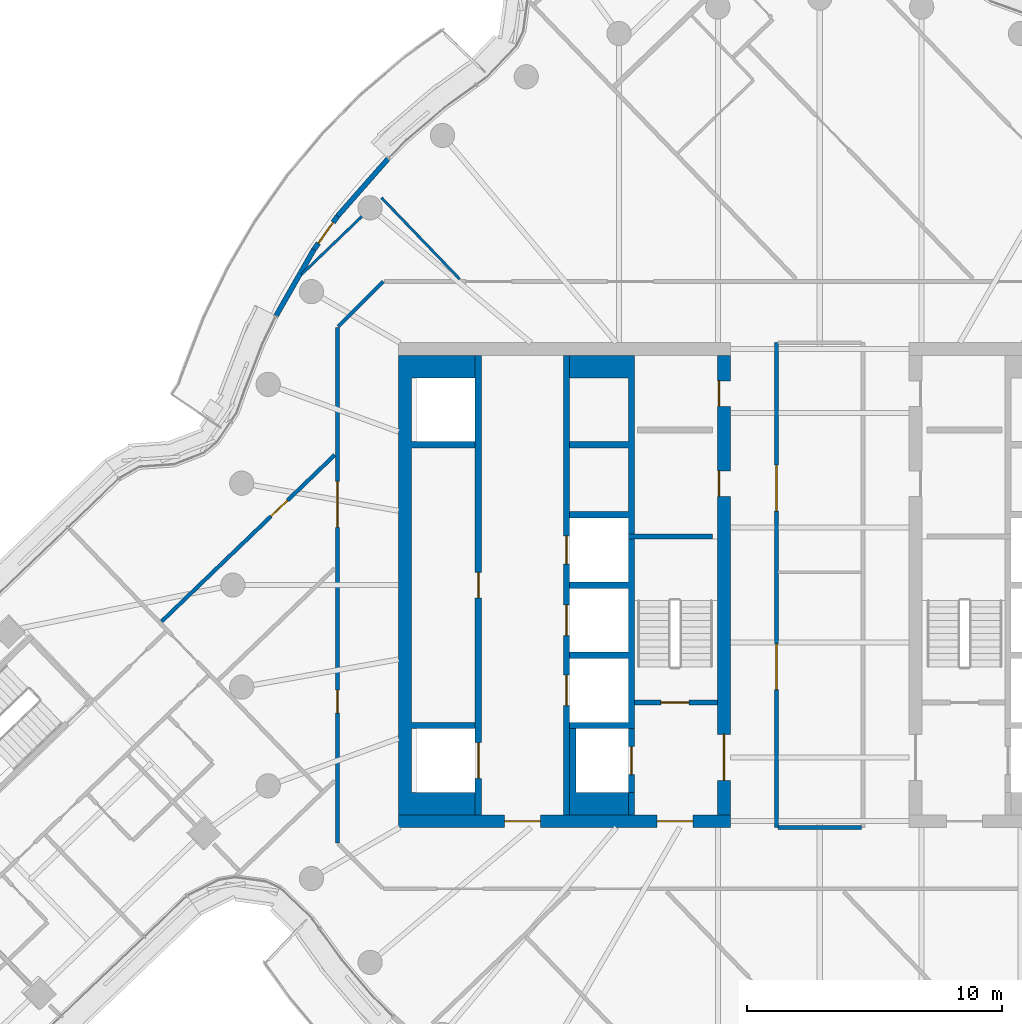
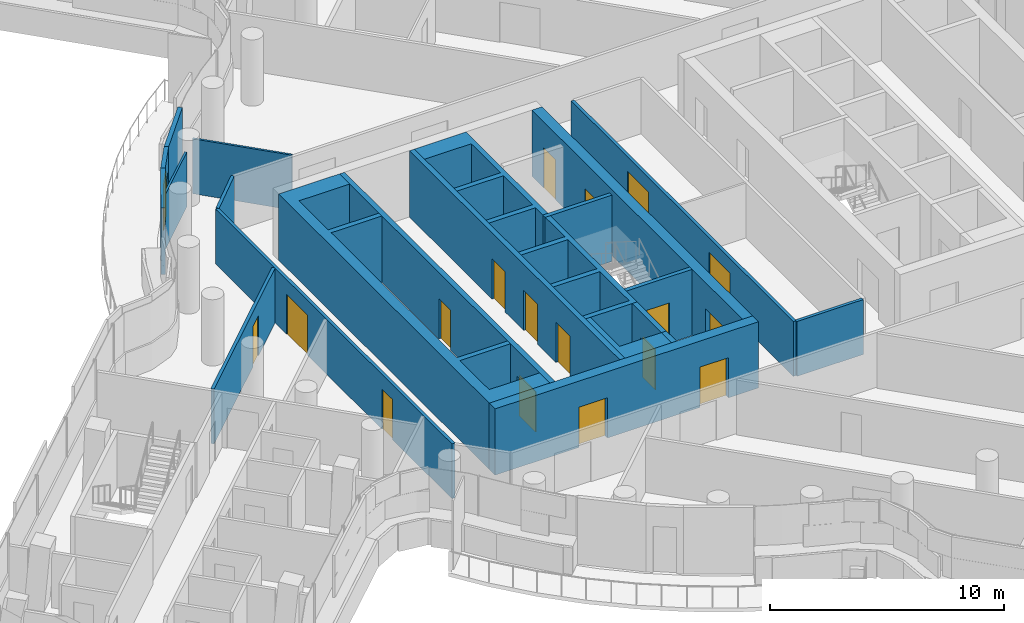
# One storey, part 22 of 34: 21 walls, 18 doors, 18 openings.
"""IFC4 building model written with IfcOpenShell, lengths in metres."""

from ifc_helpers import new_model, si_unit, direction, frame, frame_2d, origin, place, context, subcontext, project, spatial, polyline, rectangle, outline, extrude, material, layer, layer_set, type_object, element, fill, save


model = new_model("IFC4")

# Units and contexts
model_context = context("Model", 3, precision=1e-05, world=origin(), true_north=direction((0.0, 1.0)))
body_context = subcontext(model_context, "Body", "Model", "MODEL_VIEW")
ifc_project = project(units=[si_unit("LENGTHUNIT", "METRE"), si_unit("AREAUNIT", "SQUARE_METRE"), si_unit("VOLUMEUNIT", "CUBIC_METRE"), si_unit("PLANEANGLEUNIT", "RADIAN"), si_unit("MASSUNIT", "GRAM", prefix="KILO")], contexts=[model_context])

# Site, building, storey
site_placement = place(None, origin())
site = spatial("IfcSite", under=ifc_project, at=site_placement, CompositionType="ELEMENT")
building_placement = place(site_placement, origin())
building = spatial("IfcBuilding", under=site, at=building_placement, Name="Tamarind Cross Interchange Tower", CompositionType="ELEMENT")
storey_placement = place(building_placement, frame((0.0, 0.0, 193.300048828125)))
storey = spatial("IfcBuildingStorey", under=building, at=storey_placement, Name="L48", CompositionType="ELEMENT", Elevation=193.300048828125)

# Walls
ifc_material_1 = material(Name="Concrete C40", Category="concrete")
ifc_layer_1 = layer(ifc_material_1, 0.199951171875)
ifc_layer_set_1 = layer_set([ifc_layer_1], Name="Concrete C40")
wall_type_1 = type_object("IfcWallType", Name="Balcony and garden door wall", PredefinedType="SOLIDWALL", material=ifc_layer_set_1)
wall_1_placement = place(storey_placement, frame((-16.919189453125, 16.703857421875, 0.0), z_axis=(0.0, 0.0, 1.0), x_axis=(-0.660541435627, -0.750789592243, 0.0)))
element("IfcWall", 1, at=wall_1_placement, inside=storey, type_object=wall_type_1, Name="EXW-L48-10-D02L", PredefinedType="SOLIDWALL", context=body_context, shape_type="SweptSolid", body=[
    extrude(rectangle(XDim=2.991943359375, YDim=0.199951171875, at=frame_2d((1.49609375, 0.0))), origin(), (0.0, 0.0, 1.0), 3.4599609375),
])
wall_2_placement = place(storey_placement, frame((-19.819580078125, 13.1513671875, 0.0), z_axis=(0.0, 0.0, 1.0), x_axis=(-0.496622268508, -0.867966774953, 0.0)))
element("IfcWall", 2, at=wall_2_placement, inside=storey, type_object=wall_type_1, Name="EXW-L48-10-D02R", PredefinedType="SOLIDWALL", context=body_context, shape_type="SweptSolid", body=[
    extrude(rectangle(XDim=2.991455078125, YDim=0.199951171875, at=frame_2d((1.49560546875, 0.0))), origin(), (0.0, 0.0, 1.0), 3.4599609375),
])

# Wall, opening, door
wall_3_placement = place(storey_placement, frame((-18.8955078125, 14.45751953125, 0.0), z_axis=(0.0, 0.0, 1.0), x_axis=(-0.57755153974, -0.816354223939, 0.0)))
wall_3 = element("IfcWall", 3, at=wall_3_placement, inside=storey, type_object=wall_type_1, Name="EXW-L48-10-D02", PredefinedType="SOLIDWALL", context=body_context, shape_type="SweptSolid", body=[
    extrude(rectangle(XDim=1.60009765625, YDim=0.199951171875, at=frame_2d((0.800048828125, 0.0))), origin(), (0.0, 0.0, 1.0), 3.4599609375),
])
opening_1_placement = place(wall_3_placement, frame((0.300048828125, 0.0, 0.0)))
opening_1 = element("IfcOpeningElement", 4, at=opening_1_placement, cuts=wall_3, Name="Opening D2", PredefinedType="OPENING", context=body_context, shape_type="SweptSolid", body=[
    extrude(rectangle(XDim=1.0, YDim=2.39990234375, at=frame_2d((0.5, 1.199951171875))), frame((0.0, 0.10986328125, 0.0), z_axis=(0.0, -1.0, 0.0), x_axis=(1.0, 0.0, 0.0)), (0.0, 0.0, 1.0), 0.219970703125),
])
ifc_material_2 = material(Name="Aluminium and toughened glass", Category="aluminium")
door_type_1 = type_object("IfcDoorType", Name="Balcony and garden door", OperationType="SINGLE_SWING_LEFT", PredefinedType="DOOR", material=ifc_material_2)
door_1_placement = place(opening_1_placement, origin())
door_1 = element("IfcDoor", 5, at=door_1_placement, inside=storey, type_object=door_type_1, Name="DOR-L48-10-02", OperationType="SINGLE_SWING_LEFT", OverallHeight=2.39990234375, OverallWidth=1.0, PredefinedType="DOOR", context=body_context, shape_type="SweptSolid", body=[
    extrude(rectangle(XDim=1.0, YDim=2.39990234375, at=frame_2d((0.5, 1.199951171875))), frame((0.0, 0.02490234375, 0.0), z_axis=(0.0, -1.0, 0.0), x_axis=(1.0, 0.0, 0.0)), (0.0, 0.0, 1.0), 0.050048828125),
])
fill(opening_1, door_1)

# Wall, openings, doors
ifc_material_3 = material(Name="Concrete C55", Category="concrete")
ifc_layer_2 = layer(ifc_material_3, 0.5)
ifc_layer_set_2 = layer_set([ifc_layer_2], Name="Concrete C55")
wall_type_2 = type_object("IfcWallType", Name="Core wall 500 mm Concrete C55", PredefinedType="SHEAR", material=ifc_layer_set_2)
wall_4_placement = place(storey_placement, frame((-16.5, -9.25, 0.0), z_axis=(0.0, 0.0, 1.0), x_axis=(1.0, 0.0, 0.0)))
wall_4 = element("IfcWall", 6, at=wall_4_placement, inside=storey, type_object=wall_type_2, Name="Core wall CWL-L48-W-S", PredefinedType="SHEAR", context=body_context, shape_type="SweptSolid", body=[
    extrude(rectangle(XDim=13.0, YDim=0.5, at=frame_2d((6.5, 0.0))), origin(), (0.0, 0.0, 1.0), 3.4599609375),
])
opening_2_placement = place(wall_4_placement, frame((4.14990234375, 0.0, 0.0)))
opening_2 = element("IfcOpeningElement", 7, at=opening_2_placement, cuts=wall_4, Name="Opening DCW1", PredefinedType="OPENING", context=body_context, shape_type="SweptSolid", body=[
    extrude(rectangle(XDim=1.39990234375, YDim=2.10009765625, at=frame_2d((0.699951171875, 1.050048828125))), frame((0.0, 0.260009765625, 0.0), z_axis=(0.0, -1.0, 0.0), x_axis=(1.0, 0.0, 0.0)), (0.0, 0.0, 1.0), 0.52001953125),
])
opening_3_placement = place(wall_4_placement, frame((10.125, 0.0, 0.0)))
opening_3 = element("IfcOpeningElement", 8, at=opening_3_placement, cuts=wall_4, Name="Opening DCWF", PredefinedType="OPENING", context=body_context, shape_type="SweptSolid", body=[
    extrude(rectangle(XDim=1.39990234375, YDim=2.10009765625, at=frame_2d((0.699951171875, 1.050048828125))), frame((0.0, 0.260009765625, 0.0), z_axis=(0.0, -1.0, 0.0), x_axis=(1.0, 0.0, 0.0)), (0.0, 0.0, 1.0), 0.52001953125),
])
ifc_material_4 = material(Name="Steel, fire-resisting", Category="steel")
door_type_2 = type_object("IfcDoorType", Name="Core fire door 1400 x 2100 FD90", OperationType="SINGLE_SWING_LEFT", PredefinedType="DOOR", material=ifc_material_4)
door_2_placement = place(opening_2_placement, origin())
door_2 = element("IfcDoor", 9, at=door_2_placement, inside=storey, type_object=door_type_2, Name="L48 lift lobby door", OperationType="SINGLE_SWING_LEFT", OverallHeight=2.10009765625, OverallWidth=1.39990234375, PredefinedType="DOOR", context=body_context, shape_type="SweptSolid", body=[
    extrude(rectangle(XDim=1.39990234375, YDim=2.10009765625, at=frame_2d((0.699951171875, 1.050048828125))), frame((0.0, 0.02490234375, 0.0), z_axis=(0.0, -1.0, 0.0), x_axis=(1.0, 0.0, 0.0)), (0.0, 0.0, 1.0), 0.050048828125),
])
fill(opening_2, door_2)
door_3_placement = place(opening_3_placement, origin())
door_3 = element("IfcDoor", 10, at=door_3_placement, inside=storey, type_object=door_type_2, Name="L48 firefighting lobby end door", OperationType="SINGLE_SWING_LEFT", OverallHeight=2.10009765625, OverallWidth=1.39990234375, PredefinedType="DOOR", context=body_context, shape_type="SweptSolid", body=[
    extrude(rectangle(XDim=1.39990234375, YDim=2.10009765625, at=frame_2d((0.699951171875, 1.050048828125))), frame((0.0, 0.02490234375, 0.0), z_axis=(0.0, -1.0, 0.0), x_axis=(1.0, 0.0, 0.0)), (0.0, 0.0, 1.0), 0.050048828125),
])
fill(opening_3, door_3)

# Wall
wall_5_placement = place(storey_placement, origin())
element("IfcWall", 11, at=wall_5_placement, inside=storey, type_object=wall_type_2, Name="Core wall CWL-L48-W-A", PredefinedType="SHEAR", context=body_context, shape_type="SweptSolid", body=[
    extrude(outline(polyline([(-13.5, -8.125), (-16.0, -8.125), (-16.0, -5.625), (-13.5, -5.625), (-13.5, -5.375), (-16.0, -5.375), (-16.0, 5.375), (-13.5, 5.375), (-13.5, 5.625), (-16.0, 5.625), (-16.0, 8.125), (-13.5, 8.125), (-13.5, 9.0), (-16.0, 9.0), (-16.5, 9.0), (-16.5, -9.0), (-16.0, -9.0), (-13.5, -9.0), (-13.5, -8.125)])), origin(), (0.0, 0.0, 1.0), 3.4599609375),
])

# Wall, openings, doors
wall_6_placement = place(storey_placement, frame((-3.75, -9.0, 0.0), z_axis=(0.0, 0.0, 1.0), x_axis=(0.0, 1.0, 0.0)))
wall_6 = element("IfcWall", 12, at=wall_6_placement, inside=storey, type_object=wall_type_2, Name="Core wall CWL-L48-W-IN", PredefinedType="SHEAR", context=body_context, shape_type="SweptSolid", body=[
    extrude(rectangle(XDim=18.0, YDim=0.5, at=frame_2d((9.0, 0.0))), origin(), (0.0, 0.0, 1.0), 3.4599609375),
])
opening_4_placement = place(wall_6_placement, frame((1.35009765625, 0.0, 0.0)))
opening_4 = element("IfcOpeningElement", 13, at=opening_4_placement, cuts=wall_6, Name="Opening DCW4", PredefinedType="OPENING", context=body_context, shape_type="SweptSolid", body=[
    extrude(rectangle(XDim=1.800048828125, YDim=2.10009765625, at=frame_2d((0.89990234375, 1.050048828125))), frame((0.0, 0.260009765625, 0.0), z_axis=(0.0, -1.0, 0.0), x_axis=(1.0, 0.0, 0.0)), (0.0, 0.0, 1.0), 0.52001953125),
])
opening_5_placement = place(wall_6_placement, frame((12.4775390625, 0.0, 0.0)))
opening_5 = element("IfcOpeningElement", 14, at=opening_5_placement, cuts=wall_6, Name="Opening DCW5", PredefinedType="OPENING", context=body_context, shape_type="SweptSolid", body=[
    extrude(rectangle(XDim=1.0, YDim=2.10009765625, at=frame_2d((0.5, 1.050048828125))), frame((0.0, 0.260009765625, 0.0), z_axis=(0.0, -1.0, 0.0), x_axis=(1.0, 0.0, 0.0)), (0.0, 0.0, 1.0), 0.52001953125),
])
opening_6_placement = place(wall_6_placement, frame((16.00244140625, 0.0, 0.0)))
opening_6 = element("IfcOpeningElement", 15, at=opening_6_placement, cuts=wall_6, Name="Opening DCW5", PredefinedType="OPENING", context=body_context, shape_type="SweptSolid", body=[
    extrude(rectangle(XDim=1.0, YDim=2.10009765625, at=frame_2d((0.5, 1.050048828125))), frame((0.0, 0.260009765625, 0.0), z_axis=(0.0, -1.0, 0.0), x_axis=(1.0, 0.0, 0.0)), (0.0, 0.0, 1.0), 0.52001953125),
])
door_type_3 = type_object("IfcDoorType", Name="Core fire door 1000 x 2100 FD90", OperationType="SINGLE_SWING_LEFT", PredefinedType="DOOR", material=ifc_material_4)
door_4_placement = place(opening_5_placement, origin())
door_4 = element("IfcDoor", 16, at=door_4_placement, inside=storey, type_object=door_type_3, Name="L48 housekeeping pantry door", OperationType="SINGLE_SWING_LEFT", OverallHeight=2.10009765625, OverallWidth=1.0, PredefinedType="DOOR", context=body_context, shape_type="SweptSolid", body=[
    extrude(rectangle(XDim=1.0, YDim=2.10009765625, at=frame_2d((0.5, 1.050048828125))), frame((0.0, 0.22509765625, 0.0), z_axis=(0.0, -1.0, 0.0), x_axis=(1.0, 0.0, 0.0)), (0.0, 0.0, 1.0), 0.050048828125),
])
fill(opening_5, door_4)
door_5_placement = place(opening_6_placement, origin())
door_5 = element("IfcDoor", 17, at=door_5_placement, inside=storey, type_object=door_type_3, Name="L48 linen press door", OperationType="SINGLE_SWING_LEFT", OverallHeight=2.10009765625, OverallWidth=1.0, PredefinedType="DOOR", context=body_context, shape_type="SweptSolid", body=[
    extrude(rectangle(XDim=1.0, YDim=2.10009765625, at=frame_2d((0.5, 1.050048828125))), frame((0.0, 0.22509765625, 0.0), z_axis=(0.0, -1.0, 0.0), x_axis=(1.0, 0.0, 0.0)), (0.0, 0.0, 1.0), 0.050048828125),
])
fill(opening_6, door_5)
door_type_4 = type_object("IfcDoorType", Name="Core fire door 1800 x 2100 FD90", OperationType="SINGLE_SWING_LEFT", PredefinedType="DOOR", material=ifc_material_4)
door_6_placement = place(opening_4_placement, origin())
door_6 = element("IfcDoor", 18, at=door_6_placement, inside=storey, type_object=door_type_4, Name="L48 firefighting lobby door", OperationType="SINGLE_SWING_LEFT", OverallHeight=2.10009765625, OverallWidth=1.800048828125, PredefinedType="DOOR", context=body_context, shape_type="SweptSolid", body=[
    extrude(rectangle(XDim=1.800048828125, YDim=2.10009765625, at=frame_2d((0.89990234375, 1.050048828125))), frame((0.0, 0.02490234375, 0.0), z_axis=(0.0, -1.0, 0.0), x_axis=(1.0, 0.0, 0.0)), (0.0, 0.0, 1.0), 0.050048828125),
])
fill(opening_4, door_6)

# Walls
ifc_layer_3 = layer(ifc_material_3, 0.199951171875)
ifc_layer_set_3 = layer_set([ifc_layer_3], Name="Concrete C55")
wall_type_3 = type_object("IfcWallType", Name="Core web wall 200 mm Concrete C55", PredefinedType="SHEAR", material=ifc_layer_set_3)
wall_7_placement = place(storey_placement, frame((-7.5, 1.89990234375, 0.0), z_axis=(0.0, 0.0, 1.0), x_axis=(1.0, 0.0, 0.0)))
element("IfcWall", 19, at=wall_7_placement, inside=storey, type_object=wall_type_3, Name="Core wall CWL-L48-W-BD", PredefinedType="SHEAR", context=body_context, shape_type="SweptSolid", body=[
    extrude(rectangle(XDim=3.300048828125, YDim=0.199951171875, at=frame_2d((1.64990234375, 0.0))), origin(), (0.0, 0.0, 1.0), 3.4599609375),
])
ifc_layer_4 = layer(ifc_material_3, 0.25)
ifc_layer_set_4 = layer_set([ifc_layer_4], Name="Concrete C55")
wall_type_4 = type_object("IfcWallType", Name="Core web wall 250 mm Concrete C55", PredefinedType="SHEAR", material=ifc_layer_set_4)
wall_8_placement = place(storey_placement, origin())
element("IfcWall", 20, at=wall_8_placement, inside=storey, type_object=wall_type_4, Name="Core wall CWL-L48-W-BN", PredefinedType="SHEAR", context=body_context, shape_type="SweptSolid", body=[
    extrude(outline(polyline([(-9.800048828125, -5.375), (-9.800048828125, -5.625), (-7.5, -5.625), (-7.25, -5.625), (-7.25, 9.0), (-7.5, 9.0), (-9.800048828125, 9.0), (-9.800048828125, 8.125), (-7.5, 8.125), (-7.5, 5.625), (-9.800048828125, 5.625), (-9.800048828125, 5.375), (-7.5, 5.375), (-7.5, 2.875), (-9.800048828125, 2.875), (-9.800048828125, 2.625), (-7.5, 2.625), (-7.5, 0.125), (-9.800048828125, 0.125), (-9.800048828125, -0.125), (-7.5, -0.125), (-7.5, -2.625), (-9.800048828125, -2.625), (-9.800048828125, -2.875), (-7.5, -2.875), (-7.5, -5.375), (-9.800048828125, -5.375)])), origin(), (0.0, 0.0, 1.0), 3.4599609375),
])
wall_9_placement = place(storey_placement, origin())
element("IfcWall", 21, at=wall_9_placement, inside=storey, type_object=wall_type_4, Name="Core wall CWL-L48-W-BS", PredefinedType="SHEAR", context=body_context, shape_type="SweptSolid", body=[
    extrude(outline(polyline([(-7.5, -8.125), (-9.550048828125, -8.125), (-9.550048828125, -5.625), (-9.800048828125, -5.625), (-9.800048828125, -8.125), (-9.800048828125, -9.0), (-7.5, -9.0), (-7.5, -8.125)])), origin(), (0.0, 0.0, 1.0), 3.4599609375),
])
wall_10_placement = place(storey_placement, frame((-7.375, -9.0, 0.0), z_axis=(0.0, 0.0, 1.0), x_axis=(0.0, 1.0, 0.0)))
element("IfcWall", 22, at=wall_10_placement, inside=storey, type_object=wall_type_4, Name="Core wall CWL-L48-W-BW", PredefinedType="SHEAR", context=body_context, shape_type="SweptSolid", body=[
    extrude(rectangle(XDim=0.875, YDim=0.25, at=frame_2d((0.4375, 0.0))), origin(), (0.0, 0.0, 1.0), 3.4599609375),
])

# Wall, openings, doors
wall_11_placement = place(storey_placement, frame((-13.375, -9.0, 0.0), z_axis=(0.0, 0.0, 1.0), x_axis=(0.0, 1.0, 0.0)))
wall_11 = element("IfcWall", 23, at=wall_11_placement, inside=storey, type_object=wall_type_4, Name="Core wall CWL-L48-W-LA", PredefinedType="SHEAR", context=body_context, shape_type="SweptSolid", body=[
    extrude(rectangle(XDim=18.0, YDim=0.25, at=frame_2d((9.0, 0.0))), origin(), (0.0, 0.0, 1.0), 3.4599609375),
])
opening_7_placement = place(wall_11_placement, frame((1.425048828125, 0.0, 0.0)))
opening_7 = element("IfcOpeningElement", 24, at=opening_7_placement, cuts=wall_11, Name="Opening LD1L48", PredefinedType="OPENING", context=body_context, shape_type="SweptSolid", body=[
    extrude(rectangle(XDim=1.39990234375, YDim=2.10009765625, at=frame_2d((0.699951171875, 1.050048828125))), frame((0.0, 0.135009765625, 0.0), z_axis=(0.0, -1.0, 0.0), x_axis=(1.0, 0.0, 0.0)), (0.0, 0.0, 1.0), 0.27001953125),
])
opening_8_placement = place(wall_11_placement, frame((8.5, 0.0, 0.0)))
opening_8 = element("IfcOpeningElement", 25, at=opening_8_placement, cuts=wall_11, Name="Opening DCW9", PredefinedType="OPENING", context=body_context, shape_type="SweptSolid", body=[
    extrude(rectangle(XDim=1.0, YDim=2.10009765625, at=frame_2d((0.5, 1.050048828125))), frame((0.0, 0.135009765625, 0.0), z_axis=(0.0, -1.0, 0.0), x_axis=(1.0, 0.0, 0.0)), (0.0, 0.0, 1.0), 0.27001953125),
])
door_7_placement = place(opening_8_placement, origin())
door_7 = element("IfcDoor", 26, at=door_7_placement, inside=storey, type_object=door_type_3, Name="L48 Linen press door", OperationType="SINGLE_SWING_LEFT", OverallHeight=2.10009765625, OverallWidth=1.0, PredefinedType="DOOR", context=body_context, shape_type="SweptSolid", body=[
    extrude(rectangle(XDim=1.0, YDim=2.10009765625, at=frame_2d((0.5, 1.050048828125))), frame((0.0, 0.02490234375, 0.0), z_axis=(0.0, -1.0, 0.0), x_axis=(1.0, 0.0, 0.0)), (0.0, 0.0, 1.0), 0.050048828125),
])
fill(opening_8, door_7)
ifc_material_5 = material(Name="Stainless steel panel", Category="steel")
door_type_5 = type_object("IfcDoorType", Name="Lift landing door 1400 x 2100 E 120", OperationType="SLIDING_TO_LEFT", PredefinedType="DOOR", material=ifc_material_5)
door_8_placement = place(opening_7_placement, origin())
door_8 = element("IfcDoor", 27, at=door_8_placement, inside=storey, type_object=door_type_5, Name="L48 landing door LF1", OperationType="SLIDING_TO_LEFT", OverallHeight=2.10009765625, OverallWidth=1.39990234375, PredefinedType="DOOR", context=body_context, shape_type="SweptSolid", body=[
    extrude(rectangle(XDim=1.39990234375, YDim=2.10009765625, at=frame_2d((0.699951171875, 1.050048828125))), frame((0.0, 0.02490234375, 0.0), z_axis=(0.0, -1.0, 0.0), x_axis=(1.0, 0.0, 0.0)), (0.0, 0.0, 1.0), 0.050048828125),
])
fill(opening_7, door_8)

wall_12_placement = place(storey_placement, frame((-9.925048828125, -9.0, 0.0), z_axis=(0.0, 0.0, 1.0), x_axis=(0.0, 1.0, 0.0)))
wall_12 = element("IfcWall", 28, at=wall_12_placement, inside=storey, type_object=wall_type_4, Name="Core wall CWL-L48-W-LB", PredefinedType="SHEAR", context=body_context, shape_type="SweptSolid", body=[
    extrude(rectangle(XDim=18.0, YDim=0.25, at=frame_2d((9.0, 0.0))), origin(), (0.0, 0.0, 1.0), 3.4599609375),
])
opening_9_placement = place(wall_12_placement, frame((4.27490234375, 0.0, 0.0)))
opening_9 = element("IfcOpeningElement", 29, at=opening_9_placement, cuts=wall_12, Name="Opening LD8L48", PredefinedType="OPENING", context=body_context, shape_type="SweptSolid", body=[
    extrude(rectangle(XDim=1.199951171875, YDim=2.10009765625, at=frame_2d((0.60009765625, 1.050048828125))), frame((0.0, 0.135009765625, 0.0), z_axis=(0.0, -1.0, 0.0), x_axis=(1.0, 0.0, 0.0)), (0.0, 0.0, 1.0), 0.27001953125),
])
opening_10_placement = place(wall_12_placement, frame((7.02490234375, 0.0, 0.0)))
opening_10 = element("IfcOpeningElement", 30, at=opening_10_placement, cuts=wall_12, Name="Opening LD9L48", PredefinedType="OPENING", context=body_context, shape_type="SweptSolid", body=[
    extrude(rectangle(XDim=1.199951171875, YDim=2.10009765625, at=frame_2d((0.60009765625, 1.050048828125))), frame((0.0, 0.135009765625, 0.0), z_axis=(0.0, -1.0, 0.0), x_axis=(1.0, 0.0, 0.0)), (0.0, 0.0, 1.0), 0.27001953125),
])
opening_11_placement = place(wall_12_placement, frame((9.824951171875, 0.0, 0.0)))
opening_11 = element("IfcOpeningElement", 31, at=opening_11_placement, cuts=wall_12, Name="Opening LD10L48", PredefinedType="OPENING", context=body_context, shape_type="SweptSolid", body=[
    extrude(rectangle(XDim=1.10009765625, YDim=2.10009765625, at=frame_2d((0.550048828125, 1.050048828125))), frame((0.0, 0.135009765625, 0.0), z_axis=(0.0, -1.0, 0.0), x_axis=(1.0, 0.0, 0.0)), (0.0, 0.0, 1.0), 0.27001953125),
])
door_type_6 = type_object("IfcDoorType", Name="Lift landing door 1100 x 2100 E 120", OperationType="SLIDING_TO_LEFT", PredefinedType="DOOR", material=ifc_material_5)
door_9_placement = place(opening_11_placement, origin())
door_9 = element("IfcDoor", 32, at=door_9_placement, inside=storey, type_object=door_type_6, Name="L48 landing door LF10", OperationType="SLIDING_TO_LEFT", OverallHeight=2.10009765625, OverallWidth=1.10009765625, PredefinedType="DOOR", context=body_context, shape_type="SweptSolid", body=[
    extrude(rectangle(XDim=1.10009765625, YDim=2.10009765625, at=frame_2d((0.550048828125, 1.050048828125))), frame((0.0, 0.02490234375, 0.0), z_axis=(0.0, -1.0, 0.0), x_axis=(1.0, 0.0, 0.0)), (0.0, 0.0, 1.0), 0.050048828125),
])
fill(opening_11, door_9)
door_type_7 = type_object("IfcDoorType", Name="Lift landing door 1200 x 2100 E 120", OperationType="SLIDING_TO_LEFT", PredefinedType="DOOR", material=ifc_material_5)
door_10_placement = place(opening_9_placement, origin())
door_10 = element("IfcDoor", 33, at=door_10_placement, inside=storey, type_object=door_type_7, Name="L48 landing door LF8", OperationType="SLIDING_TO_LEFT", OverallHeight=2.10009765625, OverallWidth=1.199951171875, PredefinedType="DOOR", context=body_context, shape_type="SweptSolid", body=[
    extrude(rectangle(XDim=1.199951171875, YDim=2.10009765625, at=frame_2d((0.60009765625, 1.050048828125))), frame((0.0, 0.02490234375, 0.0), z_axis=(0.0, -1.0, 0.0), x_axis=(1.0, 0.0, 0.0)), (0.0, 0.0, 1.0), 0.050048828125),
])
fill(opening_9, door_10)
door_11_placement = place(opening_10_placement, origin())
door_11 = element("IfcDoor", 34, at=door_11_placement, inside=storey, type_object=door_type_7, Name="L48 landing door LF9", OperationType="SLIDING_TO_LEFT", OverallHeight=2.10009765625, OverallWidth=1.199951171875, PredefinedType="DOOR", context=body_context, shape_type="SweptSolid", body=[
    extrude(rectangle(XDim=1.199951171875, YDim=2.10009765625, at=frame_2d((0.60009765625, 1.050048828125))), frame((0.0, 0.02490234375, 0.0), z_axis=(0.0, -1.0, 0.0), x_axis=(1.0, 0.0, 0.0)), (0.0, 0.0, 1.0), 0.050048828125),
])
fill(opening_10, door_11)

# Wall, opening, door
wall_13_placement = place(storey_placement, frame((-7.375, -8.125, 0.0), z_axis=(0.0, 0.0, 1.0), x_axis=(0.0, 1.0, 0.0)))
wall_13 = element("IfcWall", 35, at=wall_13_placement, inside=storey, type_object=wall_type_4, Name="Core wall CWL-L48-W-FF", PredefinedType="SHEAR", context=body_context, shape_type="SweptSolid", body=[
    extrude(rectangle(XDim=2.5, YDim=0.25, at=frame_2d((1.25, 0.0))), origin(), (0.0, 0.0, 1.0), 3.4599609375),
])
opening_12_placement = place(wall_13_placement, frame((0.699951171875, 0.0, 0.0)))
opening_12 = element("IfcOpeningElement", 36, at=opening_12_placement, cuts=wall_13, Name="Opening LD7L48", PredefinedType="OPENING", context=body_context, shape_type="SweptSolid", body=[
    extrude(rectangle(XDim=1.10009765625, YDim=2.10009765625, at=frame_2d((0.550048828125, 1.050048828125))), frame((0.0, 0.135009765625, 0.0), z_axis=(0.0, -1.0, 0.0), x_axis=(1.0, 0.0, 0.0)), (0.0, 0.0, 1.0), 0.27001953125),
])
door_12_placement = place(opening_12_placement, origin())
door_12 = element("IfcDoor", 37, at=door_12_placement, inside=storey, type_object=door_type_6, Name="L48 landing door LF7", OperationType="SLIDING_TO_LEFT", OverallHeight=2.10009765625, OverallWidth=1.10009765625, PredefinedType="DOOR", context=body_context, shape_type="SweptSolid", body=[
    extrude(rectangle(XDim=1.10009765625, YDim=2.10009765625, at=frame_2d((0.550048828125, 1.050048828125))), frame((0.0, 0.02490234375, 0.0), z_axis=(0.0, -1.0, 0.0), x_axis=(1.0, 0.0, 0.0)), (0.0, 0.0, 1.0), 0.050048828125),
])
fill(opening_12, door_12)

# Walls
ifc_material_6 = material(Name="Gypsum board partition on steel studs", Category="steel")
ifc_layer_5 = layer(ifc_material_6, 0.10009765625)
ifc_layer_set_5 = layer_set([ifc_layer_5], Name="Gypsum board partition on steel studs")
wall_type_5 = type_object("IfcWallType", Name="Partition 100 mm EI 90", PredefinedType="PARTITIONING", material=ifc_layer_set_5)
wall_14_placement = place(storey_placement, frame((-17.177001953125, 15.181884765625, 0.0), z_axis=(0.0, 0.0, 1.0), x_axis=(0.693132955765, -0.720809756894, 0.0)))
element("IfcWall", 38, at=wall_14_placement, inside=storey, type_object=wall_type_5, Name="Partition L48-018", PredefinedType="PARTITIONING", context=body_context, shape_type="SweptSolid", body=[
    extrude(rectangle(XDim=4.42822265625, YDim=0.10009765625, at=frame_2d((2.214111328125, 0.0))), origin(), (0.0, 0.0, 1.0), 2.864013671875),
])
wall_15_placement = place(storey_placement, frame((-20.30615234375, 12.173583984375, 0.0), z_axis=(0.0, 0.0, 1.0), x_axis=(0.720860256081, 0.693080436315, 0.0)))
element("IfcWall", 39, at=wall_15_placement, inside=storey, type_object=wall_type_5, Name="Partition L48-061", PredefinedType="PARTITIONING", context=body_context, shape_type="SweptSolid", body=[
    extrude(rectangle(XDim=3.278076171875, YDim=0.10009765625, at=frame_2d((1.63916015625, 0.0))), origin(), (0.0, 0.0, 1.0), 2.864013671875),
])
ifc_layer_6 = layer(ifc_material_6, 0.14990234375)
ifc_layer_set_6 = layer_set([ifc_layer_6], Name="Gypsum board partition on steel studs")
wall_type_6 = type_object("IfcWallType", Name="Partition 150 mm EI 120", PredefinedType="PARTITIONING", material=ifc_layer_set_6)
wall_16_placement = place(storey_placement, frame((-1.639892578125, -9.5, 0.0), z_axis=(0.0, 0.0, 1.0), x_axis=(1.0, 0.0, 0.0)))
element("IfcWall", 40, at=wall_16_placement, inside=storey, type_object=wall_type_6, Name="Partition L48-045", PredefinedType="PARTITIONING", context=body_context, shape_type="SweptSolid", body=[
    extrude(rectangle(XDim=3.27978515625, YDim=0.14990234375, at=frame_2d((1.639892578125, 0.0))), origin(), (0.0, 0.0, 1.0), 2.864013671875),
])

# Wall, opening, door
wall_17_placement = place(storey_placement, frame((-25.790283203125, -1.425537109375, 0.0), z_axis=(0.0, 0.0, 1.0), x_axis=(0.720775227716, 0.693168861903, 0.0)))
wall_17 = element("IfcWall", 41, at=wall_17_placement, inside=storey, type_object=wall_type_6, Name="Partition L48-058", PredefinedType="PARTITIONING", context=body_context, shape_type="SweptSolid", body=[
    extrude(rectangle(XDim=9.40966796875, YDim=0.14990234375, at=frame_2d((4.704833984375, 0.0))), origin(), (0.0, 0.0, 1.0), 2.864013671875),
])
opening_13_placement = place(wall_17_placement, frame((5.949951171875, 0.0, 0.0)))
opening_13 = element("IfcOpeningElement", 42, at=opening_13_placement, cuts=wall_17, Name="Opening D35", PredefinedType="OPENING", context=body_context, shape_type="SweptSolid", body=[
    extrude(rectangle(XDim=0.89990234375, YDim=2.10009765625, at=frame_2d((0.449951171875, 1.050048828125))), frame((0.0, 0.0849609375, 0.0), z_axis=(0.0, -1.0, 0.0), x_axis=(1.0, 0.0, 0.0)), (0.0, 0.0, 1.0), 0.169921875),
])
ifc_material_7 = material(Name="Fire-resisting door set")
door_type_8 = type_object("IfcDoorType", Name="Interior door 900 x 2100 FD60S", OperationType="SINGLE_SWING_LEFT", PredefinedType="DOOR", material=ifc_material_7)
door_13_placement = place(opening_13_placement, origin())
door_13 = element("IfcDoor", 43, at=door_13_placement, inside=storey, type_object=door_type_8, Name="Door D35", OperationType="SINGLE_SWING_LEFT", OverallHeight=2.10009765625, OverallWidth=0.89990234375, PredefinedType="DOOR", context=body_context, shape_type="SweptSolid", body=[
    extrude(rectangle(XDim=0.89990234375, YDim=2.10009765625, at=frame_2d((0.449951171875, 1.050048828125))), frame((0.0, 0.02490234375, 0.0), z_axis=(0.0, -1.0, 0.0), x_axis=(1.0, 0.0, 0.0)), (0.0, 0.0, 1.0), 0.050048828125),
])
fill(opening_13, door_13)

# Wall
wall_18_placement = place(storey_placement, frame((-18.87158203125, 10.12841796875, 0.0), z_axis=(0.0, 0.0, 1.0), x_axis=(0.707106781187, 0.707106781187, 0.0)))
element("IfcWall", 44, at=wall_18_placement, inside=storey, type_object=wall_type_6, Name="Partition L48-090", PredefinedType="PARTITIONING", context=body_context, shape_type="SweptSolid", body=[
    extrude(rectangle(XDim=2.50537109375, YDim=0.14990234375, at=frame_2d((1.252685546875, 0.0))), origin(), (0.0, 0.0, 1.0), 2.864013671875),
])

# Wall, openings, doors
wall_19_placement = place(storey_placement, frame((-18.89990234375, -10.10009765625, 0.0), z_axis=(0.0, 0.0, 1.0), x_axis=(0.0, 1.0, 0.0)))
wall_19 = element("IfcWall", 45, at=wall_19_placement, inside=storey, type_object=wall_type_6, Name="Partition L48-092", PredefinedType="PARTITIONING", context=body_context, shape_type="SweptSolid", body=[
    extrude(rectangle(XDim=20.2001953125, YDim=0.14990234375, at=frame_2d((10.10009765625, 0.0))), origin(), (0.0, 0.0, 1.0), 2.864013671875),
])
opening_14_placement = place(wall_19_placement, frame((12.361083984375, 0.0, 0.0)))
opening_14 = element("IfcOpeningElement", 46, at=opening_14_placement, cuts=wall_19, Name="Opening D49", PredefinedType="OPENING", context=body_context, shape_type="SweptSolid", body=[
    extrude(rectangle(XDim=1.800048828125, YDim=2.10009765625, at=frame_2d((0.89990234375, 1.050048828125))), frame((0.0, 0.0849609375, 0.0), z_axis=(0.0, -1.0, 0.0), x_axis=(1.0, 0.0, 0.0)), (0.0, 0.0, 1.0), 0.169921875),
])
opening_15_placement = place(wall_19_placement, frame((5.0869140625, 0.0, 0.0)))
opening_15 = element("IfcOpeningElement", 47, at=opening_15_placement, cuts=wall_19, Name="Opening D50", PredefinedType="OPENING", context=body_context, shape_type="SweptSolid", body=[
    extrude(rectangle(XDim=0.89990234375, YDim=2.10009765625, at=frame_2d((0.449951171875, 1.050048828125))), frame((0.0, 0.0849609375, 0.0), z_axis=(0.0, -1.0, 0.0), x_axis=(1.0, 0.0, 0.0)), (0.0, 0.0, 1.0), 0.169921875),
])
door_type_9 = type_object("IfcDoorType", Name="Interior door 1800 x 2100 FD60S", OperationType="DOUBLE_DOOR_SINGLE_SWING", PredefinedType="DOOR", material=ifc_material_7)
door_14_placement = place(opening_14_placement, frame((1.800048828125, 0.0, 0.0), z_axis=(0.0, 0.0, 1.0), x_axis=(-1.0, 0.0, 0.0)))
door_14 = element("IfcDoor", 48, at=door_14_placement, inside=storey, type_object=door_type_9, Name="Door D49", OperationType="DOUBLE_DOOR_SINGLE_SWING", OverallHeight=2.10009765625, OverallWidth=1.800048828125, PredefinedType="DOOR", context=body_context, shape_type="SweptSolid", body=[
    extrude(rectangle(XDim=1.800048828125, YDim=2.10009765625, at=frame_2d((0.89990234375, 1.050048828125))), frame((0.0, 0.02490234375, 0.0), z_axis=(0.0, -1.0, 0.0), x_axis=(1.0, 0.0, 0.0)), (0.0, 0.0, 1.0), 0.050048828125),
])
fill(opening_14, door_14)
door_15_placement = place(opening_15_placement, origin())
door_15 = element("IfcDoor", 49, at=door_15_placement, inside=storey, type_object=door_type_8, Name="Door D50", OperationType="SINGLE_SWING_RIGHT", OverallHeight=2.10009765625, OverallWidth=0.89990234375, PredefinedType="DOOR", context=body_context, shape_type="SweptSolid", body=[
    extrude(rectangle(XDim=0.89990234375, YDim=2.10009765625, at=frame_2d((0.449951171875, 1.050048828125))), frame((0.0, 0.02490234375, 0.0), z_axis=(0.0, -1.0, 0.0), x_axis=(1.0, 0.0, 0.0)), (0.0, 0.0, 1.0), 0.050048828125),
])
fill(opening_15, door_15)

wall_20_placement = place(storey_placement, frame((-1.699951171875, -9.5, 0.0), z_axis=(0.0, 0.0, 1.0), x_axis=(0.0, 1.0, 0.0)))
wall_20 = element("IfcWall", 50, at=wall_20_placement, inside=storey, type_object=wall_type_6, Name="Partition L48-093", PredefinedType="PARTITIONING", context=body_context, shape_type="SweptSolid", body=[
    extrude(rectangle(XDim=19.0, YDim=0.14990234375, at=frame_2d((9.5, 0.0))), origin(), (0.0, 0.0, 1.0), 2.864013671875),
])
opening_16_placement = place(wall_20_placement, frame((5.39990234375, 0.0, 0.0)))
opening_16 = element("IfcOpeningElement", 51, at=opening_16_placement, cuts=wall_20, Name="Opening D51", PredefinedType="OPENING", context=body_context, shape_type="SweptSolid", body=[
    extrude(rectangle(XDim=1.800048828125, YDim=2.10009765625, at=frame_2d((0.89990234375, 1.050048828125))), frame((0.0, 0.0849609375, 0.0), z_axis=(0.0, -1.0, 0.0), x_axis=(1.0, 0.0, 0.0)), (0.0, 0.0, 1.0), 0.169921875),
])
opening_17_placement = place(wall_20_placement, frame((12.39990234375, 0.0, 0.0)))
opening_17 = element("IfcOpeningElement", 52, at=opening_17_placement, cuts=wall_20, Name="Opening D52", PredefinedType="OPENING", context=body_context, shape_type="SweptSolid", body=[
    extrude(rectangle(XDim=1.800048828125, YDim=2.10009765625, at=frame_2d((0.89990234375, 1.050048828125))), frame((0.0, 0.0849609375, 0.0), z_axis=(0.0, -1.0, 0.0), x_axis=(1.0, 0.0, 0.0)), (0.0, 0.0, 1.0), 0.169921875),
])
door_16_placement = place(opening_16_placement, frame((1.800048828125, 0.0, 0.0), z_axis=(0.0, 0.0, 1.0), x_axis=(-1.0, 0.0, 0.0)))
door_16 = element("IfcDoor", 53, at=door_16_placement, inside=storey, type_object=door_type_9, Name="Door D51", OperationType="DOUBLE_DOOR_SINGLE_SWING", OverallHeight=2.10009765625, OverallWidth=1.800048828125, PredefinedType="DOOR", context=body_context, shape_type="SweptSolid", body=[
    extrude(rectangle(XDim=1.800048828125, YDim=2.10009765625, at=frame_2d((0.89990234375, 1.050048828125))), frame((0.0, 0.02490234375, 0.0), z_axis=(0.0, -1.0, 0.0), x_axis=(1.0, 0.0, 0.0)), (0.0, 0.0, 1.0), 0.050048828125),
])
fill(opening_16, door_16)
door_17_placement = place(opening_17_placement, frame((1.800048828125, 0.0, 0.0), z_axis=(0.0, 0.0, 1.0), x_axis=(-1.0, 0.0, 0.0)))
door_17 = element("IfcDoor", 54, at=door_17_placement, inside=storey, type_object=door_type_9, Name="Door D52", OperationType="DOUBLE_DOOR_SINGLE_SWING", OverallHeight=2.10009765625, OverallWidth=1.800048828125, PredefinedType="DOOR", context=body_context, shape_type="SweptSolid", body=[
    extrude(rectangle(XDim=1.800048828125, YDim=2.10009765625, at=frame_2d((0.89990234375, 1.050048828125))), frame((0.0, 0.02490234375, 0.0), z_axis=(0.0, -1.0, 0.0), x_axis=(1.0, 0.0, 0.0)), (0.0, 0.0, 1.0), 0.050048828125),
])
fill(opening_17, door_17)

# Wall, opening, door
ifc_layer_7 = layer(ifc_material_1, 0.199951171875)
ifc_layer_set_7 = layer_set([ifc_layer_7], Name="Concrete C40")
wall_type_7 = type_object("IfcWallType", Name="Stair shaft wall 200 mm Concrete C40", PredefinedType="SHEAR", material=ifc_layer_set_7)
wall_21_placement = place(storey_placement, frame((-7.25, -4.60009765625, 0.0), z_axis=(0.0, 0.0, 1.0), x_axis=(1.0, 0.0, 0.0)))
wall_21 = element("IfcWall", 55, at=wall_21_placement, inside=storey, type_object=wall_type_7, Name="Core wall CWL-L48-W-SD", PredefinedType="SHEAR", context=body_context, shape_type="SweptSolid", body=[
    extrude(rectangle(XDim=3.25, YDim=0.199951171875, at=frame_2d((1.625, 0.0))), origin(), (0.0, 0.0, 1.0), 3.4599609375),
])
opening_18_placement = place(wall_21_placement, frame((1.02490234375, 0.0, 0.0)))
opening_18 = element("IfcOpeningElement", 56, at=opening_18_placement, cuts=wall_21, Name="Opening DCW6", PredefinedType="OPENING", context=body_context, shape_type="SweptSolid", body=[
    extrude(rectangle(XDim=1.10009765625, YDim=2.10009765625, at=frame_2d((0.550048828125, 1.050048828125))), frame((0.0, 0.10986328125, 0.0), z_axis=(0.0, -1.0, 0.0), x_axis=(1.0, 0.0, 0.0)), (0.0, 0.0, 1.0), 0.219970703125),
])
door_type_10 = type_object("IfcDoorType", Name="Core fire door 1100 x 2100 FD90", OperationType="SINGLE_SWING_LEFT", PredefinedType="DOOR", material=ifc_material_4)
door_18_placement = place(opening_18_placement, origin())
door_18 = element("IfcDoor", 57, at=door_18_placement, inside=storey, type_object=door_type_10, Name="L48 stair door", OperationType="SINGLE_SWING_LEFT", OverallHeight=2.10009765625, OverallWidth=1.10009765625, PredefinedType="DOOR", context=body_context, shape_type="SweptSolid", body=[
    extrude(rectangle(XDim=1.10009765625, YDim=2.10009765625, at=frame_2d((0.550048828125, 1.050048828125))), frame((0.0, 0.02490234375, 0.0), z_axis=(0.0, -1.0, 0.0), x_axis=(1.0, 0.0, 0.0)), (0.0, 0.0, 1.0), 0.050048828125),
])
fill(opening_18, door_18)

save(model, "model.ifc")
